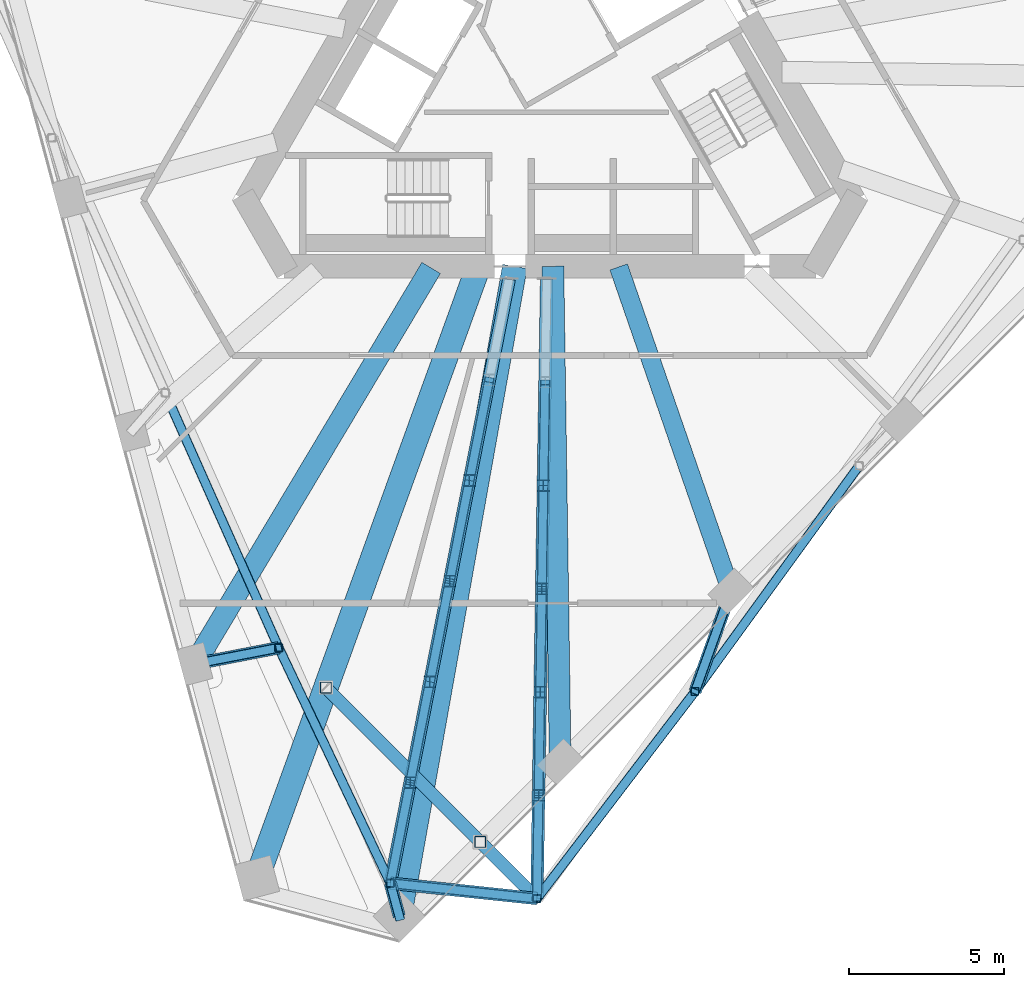
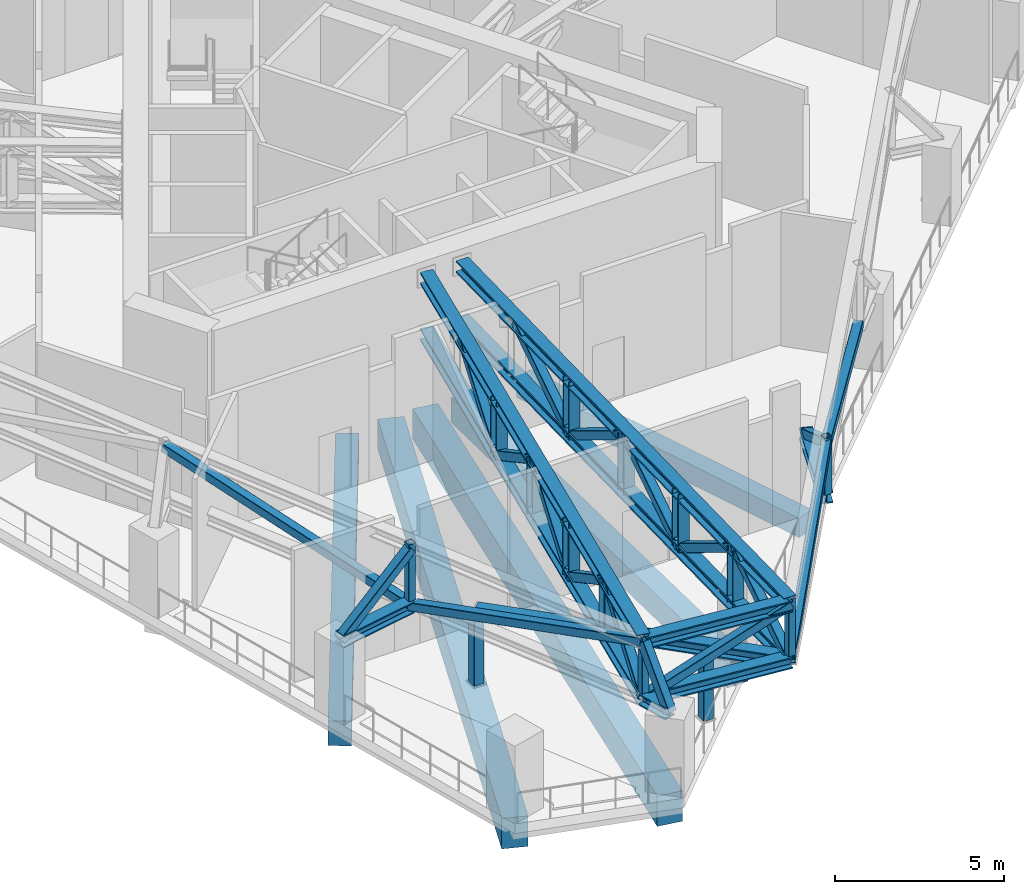
# One storey, part 2 of 22: 42 members, 5 beams.
"""IFC4 building model written with IfcOpenShell, lengths in metres."""

from ifc_helpers import new_model, si_unit, direction, frame, origin, origin_2d, place, context, subcontext, project, spatial, rectangle, hollow_rectangle, i_section, extrude, material, material_profile, profile_set, type_object, element, save


model = new_model("IFC4")

# Units and contexts
model_context = context("Model", 3, precision=1e-05, world=origin(), true_north=direction((0.0, 1.0)))
body_context = subcontext(model_context, "Body", "Model", "MODEL_VIEW")
ifc_project = project(units=[si_unit("LENGTHUNIT", "METRE"), si_unit("AREAUNIT", "SQUARE_METRE"), si_unit("VOLUMEUNIT", "CUBIC_METRE"), si_unit("PLANEANGLEUNIT", "RADIAN"), si_unit("MASSUNIT", "GRAM", prefix="KILO")], contexts=[model_context])

# Site, building, storey
site_placement = place(None, origin())
site = spatial("IfcSite", under=ifc_project, at=site_placement, CompositionType="ELEMENT")
building_placement = place(site_placement, origin())
building = spatial("IfcBuilding", under=site, at=building_placement, Name="Tramontana Tower", CompositionType="ELEMENT")
storey_placement = place(building_placement, frame((0.0, 0.0, 232.0)))
storey = spatial("IfcBuildingStorey", under=building, at=storey_placement, Name="L54", CompositionType="ELEMENT", Elevation=232.0)

# Members
ifc_material_1 = material(Name="Steel ASTM A500 Grade C", Category="steel")
ifc_material_profile_1 = material_profile(ifc_material_1, hollow_rectangle(XDim=0.25390625, YDim=0.25390625, WallThickness=0.01171875, InnerFilletRadius=0.01171875, OuterFilletRadius=0.023681640625, at=origin_2d()), Name="HSS10X10X1/2")
ifc_profile_set_1 = profile_set([ifc_material_profile_1], Name="Steel ASTM A500 Grade C")
member_type_1 = type_object("IfcMemberType", Name="Belt truss HSS10X10X1/2 post", PredefinedType="POST", material=ifc_profile_set_1)
for number, where, z_axis, x_axis, name in (
    (1, (-8.75634765625, -18.68701171875, 2.806396484375), (0.0, 0.0, 1.0), (1.0, 0.0, 0.0), "Belt truss post C6F04"),
    (2, (-5.154296875, -26.28564453125, 2.806396484375), (0.0, 0.0, 1.0), (1.0, 0.0, 0.0), "Belt truss post C6K2"),
    (3, (-0.42333984375, -26.78271484375, 2.806396484375), (0.0, 0.0, 1.0), (1.0, 0.0, 0.0), "Belt truss post C6K3"),
    (4, (4.6796875, -20.099365234375, 2.806396484375), (0.0, 0.0, 1.0), (1.0, 0.0, 0.0), "Belt truss post C6F05"),
):
    element("IfcMember", number, at=place(storey_placement, frame(where, z_axis=z_axis, x_axis=x_axis)), inside=storey, type_object=member_type_1, Name=name, PredefinedType="POST", context=body_context, shape_type="SweptSolid", body=[
        extrude(hollow_rectangle(XDim=0.25390625, YDim=0.25390625, WallThickness=0.01171875, InnerFilletRadius=0.01171875, OuterFilletRadius=0.023681640625, at=origin_2d()), origin(), (0.0, 0.0, 1.0), 2.043701171875),
    ])
ifc_material_2 = material(Name="Steel ASTM A500 Grade C", Category="steel")
ifc_material_profile_2 = material_profile(ifc_material_2, hollow_rectangle(XDim=0.3046875, YDim=0.3046875, WallThickness=0.01171875, InnerFilletRadius=0.01171875, OuterFilletRadius=0.023681640625, at=origin_2d()), Name="HSS12X12X1/2")
ifc_profile_set_2 = profile_set([ifc_material_profile_2], Name="Steel ASTM A500 Grade C")
member_type_2 = type_object("IfcMemberType", Name="Belt truss HSS12X12X1/2 brace", PredefinedType="BRACE", material=ifc_profile_set_2)
member_1_placement = place(storey_placement, frame((-12.419677734375, -10.458984375, 4.646728515625), z_axis=(0.396653570726, -0.890904274616, -0.221258939485), x_axis=(0.913546436164, 0.406734445274, 0.0)))
element("IfcMember", 5, at=member_1_placement, inside=storey, type_object=member_type_2, Name="Belt truss diagonal S0.4", PredefinedType="BRACE", context=body_context, shape_type="SweptSolid", body=[
    extrude(hollow_rectangle(XDim=0.3046875, YDim=0.3046875, WallThickness=0.01171875, InnerFilletRadius=0.01171875, OuterFilletRadius=0.023681640625, at=origin_2d()), origin(), (0.0, 0.0, 1.0), 9.235595703125),
])
member_2_placement = place(storey_placement, frame((-8.75634765625, -18.68701171875, 2.603271484375), z_axis=(0.416235162158, -0.878060403077, 0.236131781704), x_axis=(0.903613656555, 0.428348409228, 0.0)))
element("IfcMember", 6, at=member_2_placement, inside=storey, type_object=member_type_2, Name="Belt truss diagonal S0.5", PredefinedType="BRACE", context=body_context, shape_type="SweptSolid", body=[
    extrude(hollow_rectangle(XDim=0.3046875, YDim=0.3046875, WallThickness=0.01171875, InnerFilletRadius=0.01171875, OuterFilletRadius=0.023681640625, at=origin_2d()), origin(), (0.0, 0.0, 1.0), 8.65380859375),
])
member_3_placement = place(storey_placement, frame((-0.42333984375, -26.78271484375, 2.603271484375), z_axis=(0.589703974185, 0.772325437437, 0.236141147447), x_axis=(-0.794803460797, 0.606866920094, 0.0)))
element("IfcMember", 7, at=member_3_placement, inside=storey, type_object=member_type_2, Name="Belt truss diagonal S1.1", PredefinedType="BRACE", context=body_context, shape_type="SweptSolid", body=[
    extrude(hollow_rectangle(XDim=0.3046875, YDim=0.3046875, WallThickness=0.01171875, InnerFilletRadius=0.01171875, OuterFilletRadius=0.023681640625, at=origin_2d()), origin(), (0.0, 0.0, 1.0), 8.653564453125),
])
member_4_placement = place(storey_placement, frame((4.6796875, -20.099365234375, 4.646728515625), z_axis=(0.573210381476, 0.788970533368, -0.221258572817), x_axis=(-0.809021999387, 0.587778363423, 0.0)))
element("IfcMember", 8, at=member_4_placement, inside=storey, type_object=member_type_2, Name="Belt truss diagonal S1.2", PredefinedType="BRACE", context=body_context, shape_type="SweptSolid", body=[
    extrude(hollow_rectangle(XDim=0.3046875, YDim=0.3046875, WallThickness=0.01171875, InnerFilletRadius=0.01171875, OuterFilletRadius=0.023681640625, at=origin_2d()), origin(), (0.0, 0.0, 1.0), 9.235595703125),
])
member_5_placement = place(storey_placement, frame((-5.154296875, -26.28564453125, 2.603271484375), z_axis=(0.913783103455, -0.096008999826, 0.394693186909), x_axis=(0.104492428975, 0.994525682065, 0.0)))
element("IfcMember", 9, at=member_5_placement, inside=storey, type_object=member_type_2, Name="Belt truss diagonal K1.1", PredefinedType="BRACE", context=body_context, shape_type="SweptSolid", body=[
    extrude(hollow_rectangle(XDim=0.3046875, YDim=0.3046875, WallThickness=0.01171875, InnerFilletRadius=0.01171875, OuterFilletRadius=0.023681640625, at=origin_2d()), origin(), (0.0, 0.0, 1.0), 5.17724609375),
])
ifc_material_3 = material(Name="Steel ASTM A992 Grade 50", Category="steel")
ifc_material_profile_3 = material_profile(ifc_material_3, i_section(OverallWidth=0.4033203125, OverallDepth=0.406494140625, WebThickness=0.027099609375, FlangeThickness=0.04443359375, FilletRadius=0.01513671875, at=origin_2d()), Name="W14X233")
ifc_profile_set_3 = profile_set([ifc_material_profile_3], Name="Steel ASTM A992 Grade 50")
member_type_3 = type_object("IfcMemberType", Name="Belt truss W14X233 chord", PredefinedType="CHORD", material=ifc_profile_set_3)
for number, where, z_axis, x_axis, name in (
    (10, (-5.154296875, -26.28564453125, 2.603271484375), (0.994525682065, -0.104492428975, 0.0), (0.104492428975, 0.994525682065, 0.0), "Belt truss bottom chord K1"),
    (11, (-5.154296875, -26.28564453125, 4.646728515625), (0.994525682065, -0.104492428975, 0.0), (0.104492428975, 0.994525682065, 0.0), "Belt truss top chord K1"),
):
    element("IfcMember", number, at=place(storey_placement, frame(where, z_axis=z_axis, x_axis=x_axis)), inside=storey, type_object=member_type_3, Name=name, PredefinedType="CHORD", context=body_context, shape_type="SweptSolid", body=[
        extrude(i_section(OverallWidth=0.4033203125, OverallDepth=0.406494140625, WebThickness=0.027099609375, FlangeThickness=0.04443359375, FilletRadius=0.01513671875, at=origin_2d()), origin(), (0.0, 0.0, 1.0), 4.757080078125),
    ])
ifc_material_4 = material(Name="Steel ASTM A500 Grade C", Category="steel")
ifc_material_profile_4 = material_profile(ifc_material_4, hollow_rectangle(XDim=0.3046875, YDim=0.3046875, WallThickness=0.01171875, InnerFilletRadius=0.01171875, OuterFilletRadius=0.023681640625, at=origin_2d()), Name="HSS12X12X1/2")
ifc_profile_set_4 = profile_set([ifc_material_profile_4], Name="Steel ASTM A500 Grade C")
member_type_4 = type_object("IfcMemberType", Name="Outrigger truss HSS12X12X1/2 brace", PredefinedType="BRACE", material=ifc_profile_set_4)
for number, where, z_axis, x_axis, name in (
    (12, (-1.9619140625, -10.039306640625, 4.646728515625), (-0.16413279869, -0.835031887525, -0.525149665534), (0.981224659894, -0.192868262851, 0.0), "Outrigger truss diagonal 1.2"),
    (13, (-2.6005859375, -13.28857421875, 2.603271484375), (-0.164071746092, -0.835040485175, 0.525155072576), (0.981238610032, -0.192797277424, 0.0), "Outrigger truss diagonal 1.3"),
    (14, (-3.239013671875, -16.537841796875, 4.646728515625), (-0.164071746092, -0.835040485175, -0.525155072576), (0.981238610032, -0.192797277424, 0.0), "Outrigger truss diagonal 1.4"),
    (15, (-3.87744140625, -19.787109375, 2.603271484375), (-0.164071746092, -0.835040485175, 0.525155072576), (0.981238610032, -0.192797277424, 0.0), "Outrigger truss diagonal 1.5"),
    (16, (-4.515869140625, -23.036376953125, 4.646728515625), (-0.164071746092, -0.835040485175, -0.525155072576), (0.981238610032, -0.192797277424, 0.0), "Outrigger truss diagonal 1.6"),
):
    element("IfcMember", number, at=place(storey_placement, frame(where, z_axis=z_axis, x_axis=x_axis)), inside=storey, type_object=member_type_4, Name=name, PredefinedType="BRACE", context=body_context, shape_type="SweptSolid", body=[
        extrude(hollow_rectangle(XDim=0.3046875, YDim=0.3046875, WallThickness=0.01171875, InnerFilletRadius=0.01171875, OuterFilletRadius=0.023681640625, at=origin_2d()), origin(), (0.0, 0.0, 1.0), 3.89111328125),
    ])
for number, where, z_axis, x_axis, name in (
    (17, (-0.159423828125, -10.1220703125, 4.646728515625), (-0.013551938104, -0.852398171326, -0.522717612572), (0.999873641203, -0.015896591702, 0.0), "Outrigger truss diagonal 2.2"),
    (18, (-0.21240234375, -13.454345703125, 2.603271484375), (-0.01349021629, -0.852381814502, 0.522745881256), (0.999874784555, -0.015824513003, 0.0), "Outrigger truss diagonal 2.3"),
    (19, (-0.26513671875, -16.786376953125, 4.646728515625), (-0.013489498166, -0.852398891081, -0.522718053949), (0.999874802898, -0.015823353903, 0.0), "Outrigger truss diagonal 2.4"),
    (20, (-0.31787109375, -20.11865234375, 2.603271484375), (-0.01349021629, -0.852381814502, 0.522745881256), (0.999874784555, -0.015824513003, 0.0), "Outrigger truss diagonal 2.5"),
    (21, (-0.37060546875, -23.45068359375, 4.646728515625), (-0.01349021629, -0.852381814502, -0.522745881256), (0.999874784555, -0.015824513003, 0.0), "Outrigger truss diagonal 2.6"),
):
    element("IfcMember", number, at=place(storey_placement, frame(where, z_axis=z_axis, x_axis=x_axis)), inside=storey, type_object=member_type_4, Name=name, PredefinedType="BRACE", context=body_context, shape_type="SweptSolid", body=[
        extrude(hollow_rectangle(XDim=0.3046875, YDim=0.3046875, WallThickness=0.01171875, InnerFilletRadius=0.01171875, OuterFilletRadius=0.023681640625, at=origin_2d()), origin(), (0.0, 0.0, 1.0), 3.9091796875),
    ])
ifc_material_5 = material(Name="Steel ASTM A992 Grade 50", Category="steel")
ifc_material_profile_5 = material_profile(ifc_material_5, i_section(OverallWidth=0.374755859375, OverallDepth=0.37158203125, WebThickness=0.015869140625, FlangeThickness=0.025390625, FilletRadius=0.01513671875, at=origin_2d()), Name="W14X132")
ifc_profile_set_5 = profile_set([ifc_material_profile_5], Name="Steel ASTM A992 Grade 50")
member_type_5 = type_object("IfcMemberType", Name="Outrigger truss W14X132 post", PredefinedType="POST", material=ifc_profile_set_5)
for number, where, z_axis, x_axis, name in (
    (22, (-2.6005859375, -13.28857421875, 2.603271484375), (0.0, 0.0, 1.0), (1.0, 0.0, 0.0), "Outrigger truss post 1.2"),
    (23, (-3.239013671875, -16.537841796875, 2.603271484375), (0.0, 0.0, 1.0), (1.0, 0.0, 0.0), "Outrigger truss post 1.3"),
    (24, (-3.87744140625, -19.787109375, 2.603271484375), (0.0, 0.0, 1.0), (1.0, 0.0, 0.0), "Outrigger truss post 1.4"),
    (25, (-4.515869140625, -23.036376953125, 2.603271484375), (0.0, 0.0, 1.0), (1.0, 0.0, 0.0), "Outrigger truss post 1.5"),
    (26, (-0.21240234375, -13.454345703125, 2.603271484375), (0.0, 0.0, 1.0), (1.0, 0.0, 0.0), "Outrigger truss post 2.2"),
    (27, (-0.26513671875, -16.786376953125, 2.603271484375), (0.0, 0.0, 1.0), (1.0, 0.0, 0.0), "Outrigger truss post 2.3"),
    (28, (-0.31787109375, -20.11865234375, 2.603271484375), (0.0, 0.0, 1.0), (1.0, 0.0, 0.0), "Outrigger truss post 2.4"),
    (29, (-0.37060546875, -23.45068359375, 2.603271484375), (0.0, 0.0, 1.0), (1.0, 0.0, 0.0), "Outrigger truss post 2.5"),
):
    element("IfcMember", number, at=place(storey_placement, frame(where, z_axis=z_axis, x_axis=x_axis)), inside=storey, type_object=member_type_5, Name=name, PredefinedType="POST", context=body_context, shape_type="SweptSolid", body=[
        extrude(i_section(OverallWidth=0.374755859375, OverallDepth=0.37158203125, WebThickness=0.015869140625, FlangeThickness=0.025390625, FilletRadius=0.01513671875, at=origin_2d()), origin(), (0.0, 0.0, 1.0), 2.04345703125),
    ])
ifc_material_6 = material(Name="Steel ASTM A992 Grade 50", Category="steel")
ifc_material_profile_6 = material_profile(ifc_material_6, i_section(OverallWidth=0.412841796875, OverallDepth=0.43505859375, WebThickness=0.03662109375, FlangeThickness=0.05712890625, FilletRadius=0.01513671875, at=origin_2d()), Name="W14X311")
ifc_profile_set_6 = profile_set([ifc_material_profile_6], Name="Steel ASTM A992 Grade 50")
member_type_6 = type_object("IfcMemberType", Name="Outrigger truss W14X311 chord", PredefinedType="CHORD", material=ifc_profile_set_6)
for number, where, z_axis, x_axis, name in (
    (30, (-1.323486328125, -6.7900390625, 2.603271484375), (-0.192809108539, -0.981236285338, 0.0), (0.981236285338, -0.192809108539, 0.0), "Outrigger truss bottom chord 1"),
    (31, (-1.323486328125, -6.7900390625, 4.646728515625), (-0.192809108539, -0.981236285338, 0.0), (0.981236285338, -0.192809108539, 0.0), "Outrigger truss top chord 1"),
):
    element("IfcMember", number, at=place(storey_placement, frame(where, z_axis=z_axis, x_axis=x_axis)), inside=storey, type_object=member_type_6, Name=name, PredefinedType="CHORD", context=body_context, shape_type="SweptSolid", body=[
        extrude(i_section(OverallWidth=0.412841796875, OverallDepth=0.43505859375, WebThickness=0.03662109375, FlangeThickness=0.05712890625, FilletRadius=0.01513671875, at=origin_2d()), origin(), (0.0, 0.0, 1.0), 19.868408203125),
    ])
for number, where, z_axis, x_axis, name in (
    (32, (-0.106689453125, -6.7900390625, 2.603271484375), (-0.015836333531, -0.999874597407, 0.0), (0.999874597407, -0.015836333531, 0.0), "Outrigger truss bottom chord 2"),
    (33, (-0.106689453125, -6.7900390625, 4.646728515625), (-0.015836333531, -0.999874597407, 0.0), (0.999874597407, -0.015836333531, 0.0), "Outrigger truss top chord 2"),
):
    element("IfcMember", number, at=place(storey_placement, frame(where, z_axis=z_axis, x_axis=x_axis)), inside=storey, type_object=member_type_6, Name=name, PredefinedType="CHORD", context=body_context, shape_type="SweptSolid", body=[
        extrude(i_section(OverallWidth=0.412841796875, OverallDepth=0.43505859375, WebThickness=0.03662109375, FlangeThickness=0.05712890625, FilletRadius=0.01513671875, at=origin_2d()), origin(), (0.0, 0.0, 1.0), 19.9951171875),
    ])

# Beams
ifc_material_7 = material(Name="Concrete 40 MPa", Category="concrete")
ifc_material_profile_7 = material_profile(ifc_material_7, rectangle(XDim=0.60009765625, YDim=0.699951171875, at=origin_2d()), Name="RC GIRDER 600X700 40 MPa")
ifc_profile_set_7 = profile_set([ifc_material_profile_7], Name="Concrete 40 MPa")
beam_type_1 = type_object("IfcBeamType", Name="RC GIRDER 600X700 40 MPa", PredefinedType="BEAM", material=ifc_profile_set_7)
beam_1_placement = place(storey_placement, frame((5.837646484375, -16.8603515625, -0.699951171875), z_axis=(-0.327178709265, 0.944962481903, 0.0), x_axis=(-0.944962481903, -0.327178709265, 0.0)))
element("IfcBeam", 34, at=beam_1_placement, inside=storey, type_object=beam_type_1, Name="Radial girder C5F07 L54", PredefinedType="BEAM", context=body_context, shape_type="SweptSolid", body=[
    extrude(rectangle(XDim=0.60009765625, YDim=0.699951171875, at=origin_2d()), origin(), (0.0, 0.0, 1.0), 11.074462890625),
])
ifc_material_8 = material(Name="Concrete 40 MPa", Category="concrete")
ifc_material_profile_8 = material_profile(ifc_material_8, rectangle(XDim=0.699951171875, YDim=0.89990234375, at=origin_2d()), Name="RC GIRDER 700X900 40 MPa")
ifc_profile_set_8 = profile_set([ifc_material_profile_8], Name="Concrete 40 MPa")
beam_type_2 = type_object("IfcBeamType", Name="RC GIRDER 700X900 40 MPa", PredefinedType="BEAM", material=ifc_profile_set_8)
beam_2_placement = place(storey_placement, frame((-11.468505859375, -19.211181640625, -0.800048828125), z_axis=(0.512577256937, 0.858641109935, 0.0), x_axis=(-0.858641109935, 0.512577256937, 0.0)))
element("IfcBeam", 35, at=beam_2_placement, inside=storey, type_object=beam_type_2, Name="Radial girder C5F05 L54", PredefinedType="BEAM", context=body_context, shape_type="SweptSolid", body=[
    extrude(rectangle(XDim=0.699951171875, YDim=0.89990234375, at=origin_2d()), origin(), (0.0, 0.0, 1.0), 14.8876953125),
])
beam_3_placement = place(storey_placement, frame((0.326416015625, -22.371826171875, -0.800048828125), z_axis=(-0.014588743818, 0.999893578614, 0.0), x_axis=(-0.999893578614, -0.014588743818, 0.0)))
element("IfcBeam", 36, at=beam_3_placement, inside=storey, type_object=beam_type_2, Name="Radial girder C5F06 L54", PredefinedType="BEAM", context=body_context, shape_type="SweptSolid", body=[
    extrude(rectangle(XDim=0.699951171875, YDim=0.89990234375, at=origin_2d()), origin(), (0.0, 0.0, 1.0), 15.99853515625),
])
ifc_material_9 = material(Name="Concrete 40 MPa", Category="concrete")
ifc_material_profile_9 = material_profile(ifc_material_9, rectangle(XDim=0.800048828125, YDim=1.10009765625, at=origin_2d()), Name="RC GIRDER 800X1100 40 MPa")
ifc_profile_set_9 = profile_set([ifc_material_profile_9], Name="Concrete 40 MPa")
beam_type_3 = type_object("IfcBeamType", Name="RC GIRDER 800X1100 40 MPa", PredefinedType="BEAM", material=ifc_profile_set_9)
beam_4_placement = place(storey_placement, frame((-9.461669921875, -26.12158203125, -0.89990234375), z_axis=(0.340569160695, 0.94021946735, 0.0), x_axis=(-0.94021946735, 0.340569160695, 0.0)))
element("IfcBeam", 37, at=beam_4_placement, inside=storey, type_object=beam_type_3, Name="Radial girder C5K2 L54", PredefinedType="BEAM", context=body_context, shape_type="SweptSolid", body=[
    extrude(rectangle(XDim=0.800048828125, YDim=1.10009765625, at=origin_2d()), origin(), (0.0, 0.0, 1.0), 20.978271484375),
])
beam_5_placement = place(storey_placement, frame((-4.86669921875, -27.352783203125, -0.89990234375), z_axis=(0.175174555483, 0.984537391424, 0.0), x_axis=(-0.984537391424, 0.175174555483, 0.0)))
element("IfcBeam", 38, at=beam_5_placement, inside=storey, type_object=beam_type_3, Name="Radial girder C5K3 L54", PredefinedType="BEAM", context=body_context, shape_type="SweptSolid", body=[
    extrude(rectangle(XDim=0.800048828125, YDim=1.10009765625, at=origin_2d()), origin(), (0.0, 0.0, 1.0), 21.30126953125),
])

# Members
ifc_material_10 = material(Name="Steel ASTM A500 Grade C", Category="steel")
ifc_material_profile_10 = material_profile(ifc_material_10, hollow_rectangle(XDim=0.3046875, YDim=0.3046875, WallThickness=0.01171875, InnerFilletRadius=0.01171875, OuterFilletRadius=0.023681640625, at=origin_2d()), Name="HSS12X12X1/2")
ifc_profile_set_10 = profile_set([ifc_material_profile_10], Name="Steel ASTM A500 Grade C")
member_type_7 = type_object("IfcMemberType", Name="Transfer truss HSS12X12X1/2 brace", PredefinedType="BRACE", material=ifc_profile_set_10)
member_6_placement = place(storey_placement, frame((-11.468505859375, -19.211181640625, 2.603271484375), z_axis=(0.789330002402, 0.152551221096, 0.594715286714), x_axis=(-0.189755336343, 0.981831407284, 0.0)))
element("IfcMember", 39, at=member_6_placement, inside=storey, type_object=member_type_7, Name="Transfer truss strut C6F04 diagonal", PredefinedType="BRACE", context=body_context, shape_type="SweptSolid", body=[
    extrude(hollow_rectangle(XDim=0.3046875, YDim=0.3046875, WallThickness=0.01171875, InnerFilletRadius=0.01171875, OuterFilletRadius=0.023681640625, at=origin_2d()), origin(), (0.0, 0.0, 1.0), 3.43603515625),
])
member_7_placement = place(storey_placement, frame((5.837646484375, -16.8603515625, 2.603271484375), z_axis=(-0.289419252017, -0.809556233714, 0.5107398565), x_axis=(0.941634275852, -0.336637624962, 0.0)))
element("IfcMember", 40, at=member_7_placement, inside=storey, type_object=member_type_7, Name="Transfer truss strut C6F05 diagonal", PredefinedType="BRACE", context=body_context, shape_type="SweptSolid", body=[
    extrude(hollow_rectangle(XDim=0.3046875, YDim=0.3046875, WallThickness=0.01171875, InnerFilletRadius=0.01171875, OuterFilletRadius=0.023681640625, at=origin_2d()), origin(), (0.0, 0.0, 1.0), 4.0009765625),
])
member_8_placement = place(storey_placement, frame((-4.86669921875, -27.352783203125, 2.603271484375), z_axis=(-0.123794264403, 0.459341875813, 0.879590826024), x_axis=(-0.965549609931, -0.260219043811, 0.0)))
element("IfcMember", 41, at=member_8_placement, inside=storey, type_object=member_type_7, Name="Transfer truss strut C6K2 diagonal", PredefinedType="BRACE", context=body_context, shape_type="SweptSolid", body=[
    extrude(hollow_rectangle(XDim=0.3046875, YDim=0.3046875, WallThickness=0.01171875, InnerFilletRadius=0.01171875, OuterFilletRadius=0.023681640625, at=origin_2d()), origin(), (0.0, 0.0, 1.0), 2.3232421875),
])
ifc_material_11 = material(Name="Steel ASTM A500 Grade C", Category="steel")
ifc_material_profile_11 = material_profile(ifc_material_11, hollow_rectangle(XDim=0.355712890625, YDim=0.355712890625, WallThickness=0.01171875, InnerFilletRadius=0.01171875, OuterFilletRadius=0.023681640625, at=origin_2d()), Name="HSS14X14X1/2")
ifc_profile_set_11 = profile_set([ifc_material_profile_11], Name="Steel ASTM A500 Grade C")
member_type_8 = type_object("IfcMemberType", Name="Transfer truss HSS14X14X1/2 post", PredefinedType="POST", material=ifc_profile_set_11)
for number, where, z_axis, x_axis, name in (
    (42, (-2.254150390625, -24.9521484375, 0.0400390625), (0.0, 0.0, 1.0), (1.0, 0.0, 0.0), "Transfer truss post C6K3.1"),
    (43, (-7.234130859375, -19.97216796875, 0.0400390625), (0.0, 0.0, 1.0), (1.0, 0.0, 0.0), "Transfer truss post C6K3.2"),
):
    element("IfcMember", number, at=place(storey_placement, frame(where, z_axis=z_axis, x_axis=x_axis)), inside=storey, type_object=member_type_8, Name=name, PredefinedType="POST", context=body_context, shape_type="SweptSolid", body=[
        extrude(hollow_rectangle(XDim=0.355712890625, YDim=0.355712890625, WallThickness=0.01171875, InnerFilletRadius=0.01171875, OuterFilletRadius=0.023681640625, at=origin_2d()), origin(), (0.0, 0.0, 1.0), 2.35986328125),
    ])
ifc_material_12 = material(Name="Steel ASTM A992 Grade 50", Category="steel")
ifc_material_profile_12 = material_profile(ifc_material_12, i_section(OverallWidth=0.4033203125, OverallDepth=0.406494140625, WebThickness=0.027099609375, FlangeThickness=0.04443359375, FilletRadius=0.01513671875, at=origin_2d()), Name="W14X233")
ifc_profile_set_12 = profile_set([ifc_material_profile_12], Name="Steel ASTM A992 Grade 50")
member_type_9 = type_object("IfcMemberType", Name="Transfer truss W14X233 chord", PredefinedType="CHORD", material=ifc_profile_set_12)
member_9_placement = place(storey_placement, frame((-0.42333984375, -26.78271484375, 2.603271484375), z_axis=(-0.707119454827, 0.707094107319, 0.0), x_axis=(-0.707094107319, -0.707119454827, 0.0)))
element("IfcMember", 44, at=member_9_placement, inside=storey, type_object=member_type_9, Name="Transfer truss girder C6K3", PredefinedType="CHORD", context=body_context, shape_type="SweptSolid", body=[
    extrude(i_section(OverallWidth=0.4033203125, OverallDepth=0.406494140625, WebThickness=0.027099609375, FlangeThickness=0.04443359375, FilletRadius=0.01513671875, at=origin_2d()), origin(), (0.0, 0.0, 1.0), 9.6318359375),
])
ifc_material_13 = material(Name="Steel ASTM A992 Grade 50", Category="steel")
ifc_material_profile_13 = material_profile(ifc_material_13, i_section(OverallWidth=0.4033203125, OverallDepth=0.406494140625, WebThickness=0.027099609375, FlangeThickness=0.04443359375, FilletRadius=0.01513671875, at=origin_2d()), Name="W14X233")
ifc_profile_set_13 = profile_set([ifc_material_profile_13], Name="Steel ASTM A992 Grade 50")
member_type_10 = type_object("IfcMemberType", Name="Transfer truss W14X233 strut", PredefinedType="STRUT", material=ifc_profile_set_13)
member_10_placement = place(storey_placement, frame((-11.468505859375, -19.211181640625, 2.603271484375), z_axis=(0.981831407284, 0.189755336343, 0.0), x_axis=(-0.189755336343, 0.981831407284, 0.0)))
element("IfcMember", 45, at=member_10_placement, inside=storey, type_object=member_type_10, Name="Transfer truss strut C6F04 bottom", PredefinedType="STRUT", context=body_context, shape_type="SweptSolid", body=[
    extrude(i_section(OverallWidth=0.4033203125, OverallDepth=0.406494140625, WebThickness=0.027099609375, FlangeThickness=0.04443359375, FilletRadius=0.01513671875, at=origin_2d()), origin(), (0.0, 0.0, 1.0), 2.762451171875),
])
member_11_placement = place(storey_placement, frame((5.837646484375, -16.8603515625, 2.603271484375), z_axis=(-0.336637624962, -0.941634275852, 0.0), x_axis=(0.941634275852, -0.336637624962, 0.0)))
element("IfcMember", 46, at=member_11_placement, inside=storey, type_object=member_type_10, Name="Transfer truss strut C6F05 bottom", PredefinedType="STRUT", context=body_context, shape_type="SweptSolid", body=[
    extrude(i_section(OverallWidth=0.4033203125, OverallDepth=0.406494140625, WebThickness=0.027099609375, FlangeThickness=0.04443359375, FilletRadius=0.01513671875, at=origin_2d()), origin(), (0.0, 0.0, 1.0), 3.439697265625),
])
member_12_placement = place(storey_placement, frame((-4.86669921875, -27.352783203125, 2.603271484375), z_axis=(-0.260219043811, 0.965549609931, 0.0), x_axis=(-0.965549609931, -0.260219043811, 0.0)))
element("IfcMember", 47, at=member_12_placement, inside=storey, type_object=member_type_10, Name="Transfer truss strut C6K2 bottom", PredefinedType="STRUT", context=body_context, shape_type="SweptSolid", body=[
    extrude(i_section(OverallWidth=0.4033203125, OverallDepth=0.406494140625, WebThickness=0.027099609375, FlangeThickness=0.04443359375, FilletRadius=0.01513671875, at=origin_2d()), origin(), (0.0, 0.0, 1.0), 1.105224609375),
])

save(model, "model.ifc")
